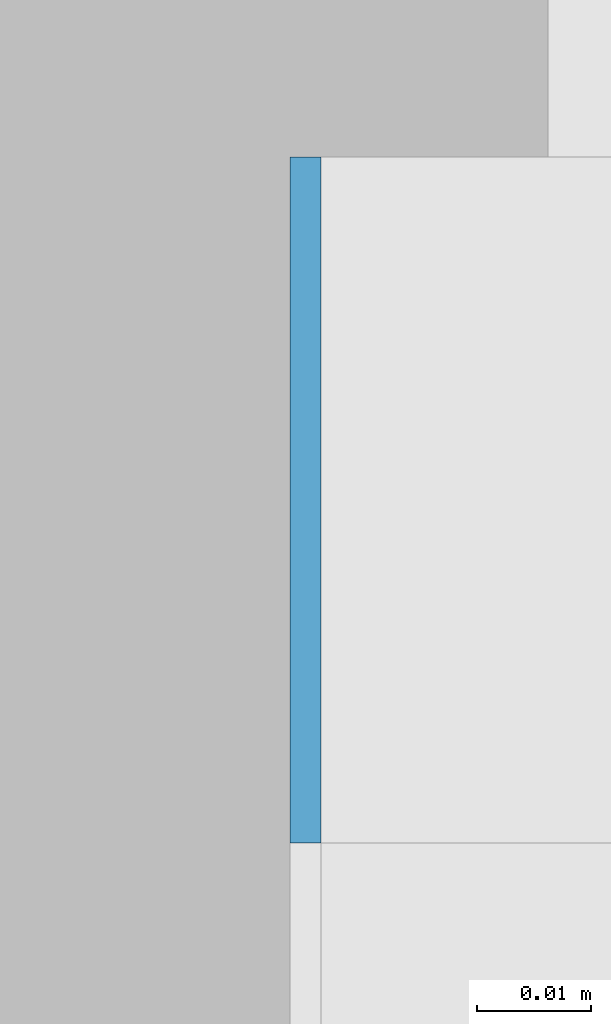
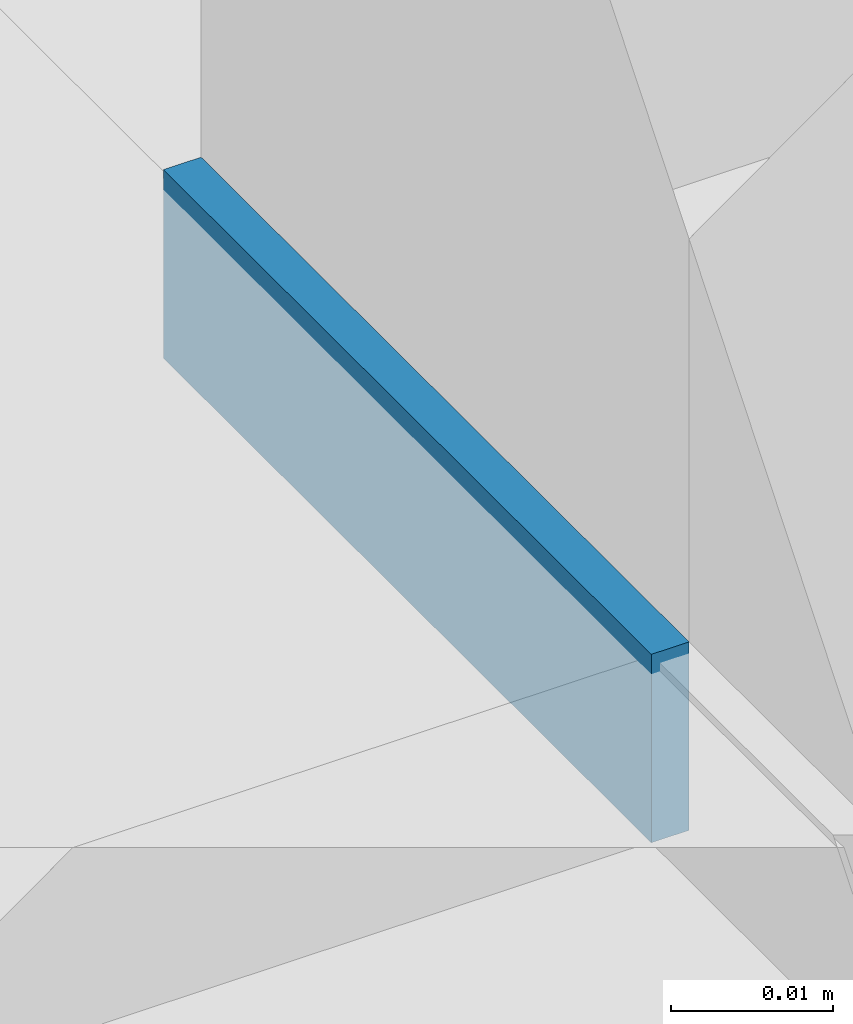
# One storey, part 446 of 646: 1 discrete accessory.
"""IFC4 building model written with IfcOpenShell, lengths in metres."""

from ifc_helpers import new_model, si_unit, direction, frame, origin, origin_2d, place, context, subcontext, project, spatial, rectangle, extrude, material, type_object, element, save


model = new_model("IFC4")

# Units and contexts
model_context = context("Model", 3, precision=1e-05, world=origin(), true_north=direction((0.0, 1.0)))
body_context = subcontext(model_context, "Body", "Model", "MODEL_VIEW")
ifc_project = project(units=[si_unit("LENGTHUNIT", "METRE"), si_unit("AREAUNIT", "SQUARE_METRE"), si_unit("VOLUMEUNIT", "CUBIC_METRE"), si_unit("PLANEANGLEUNIT", "RADIAN"), si_unit("MASSUNIT", "GRAM", prefix="KILO")], contexts=[model_context])

# Site, building, storey
site_placement = place(None, origin())
site = spatial("IfcSite", under=ifc_project, at=site_placement, CompositionType="ELEMENT")
building_placement = place(site_placement, origin())
building = spatial("IfcBuilding", under=site, at=building_placement, Name="Silverbay Arena", CompositionType="ELEMENT")
storey_placement = place(building_placement, frame((0.0, 0.0, 33.5)))
storey = spatial("IfcBuildingStorey", under=building, at=storey_placement, Name="L05", CompositionType="ELEMENT", Elevation=33.5)

# Discrete accessory
ifc_material = material(Name="Steel S355", Category="steel")
discrete_accessory_type = type_object("IfcDiscreteAccessoryType", Name="Steel bracket plate", PredefinedType="BRACKET", material=ifc_material)
discrete_accessory_placement = place(storey_placement, frame((207.128662109375, 36.030029296875, 4.0), z_axis=(0.0, 0.0, 1.0), x_axis=(1.0, 0.0, 0.0)))
element("IfcDiscreteAccessory", 1, at=discrete_accessory_placement, inside=storey, type_object=discrete_accessory_type, Name="Curtain wall packing plate", PredefinedType="BRACKET", context=body_context, shape_type="SweptSolid", body=[
    extrude(rectangle(XDim=0.002685546875, YDim=0.06005859375, at=origin_2d()), origin(), (0.0, 0.0, 1.0), 0.01416015625),
])

save(model, "model.ifc")
